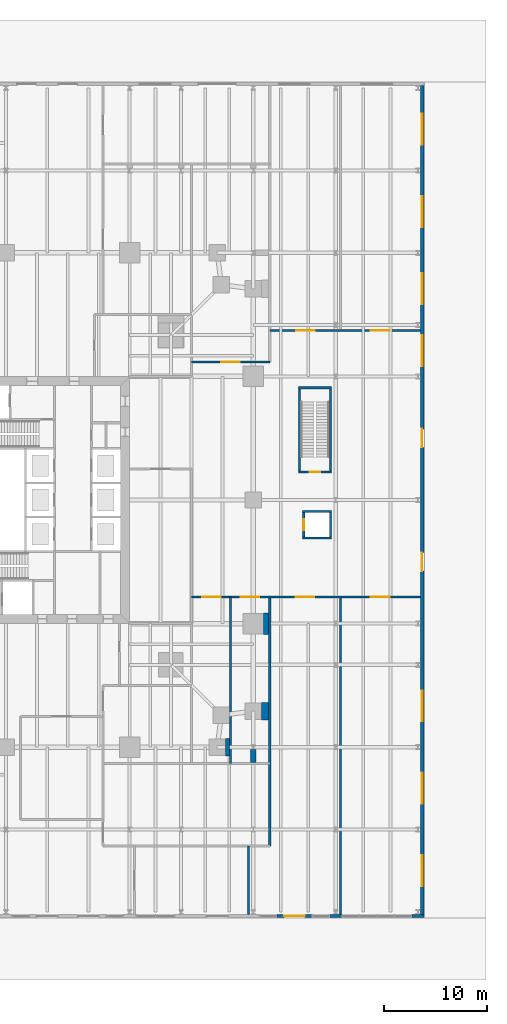
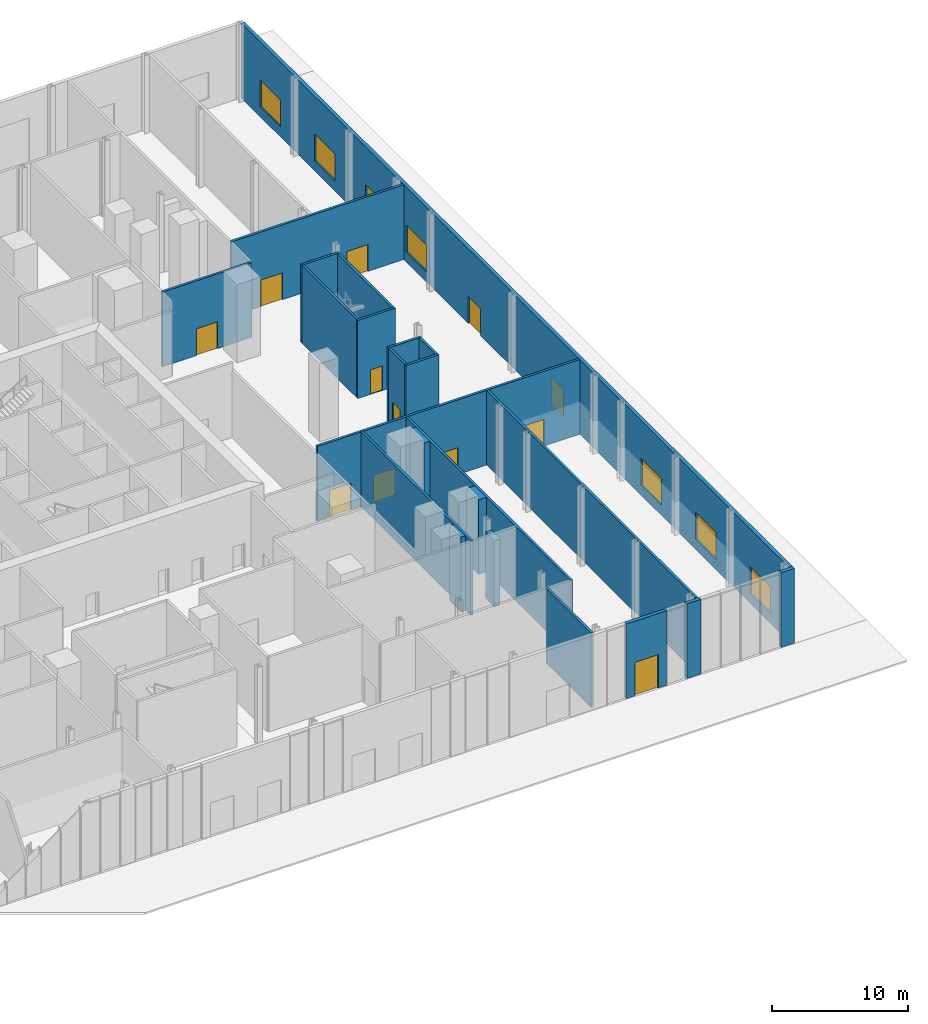
# One storey, part 16 of 20: 23 walls, 12 doors, 7 windows, 19 openings.
"""IFC4 building model written with IfcOpenShell, lengths in metres."""

from ifc_helpers import new_model, si_unit, direction, frame, frame_2d, origin, place, context, subcontext, project, spatial, rectangle, extrude, material, layer, layer_set, type_object, element, fill, save


model = new_model("IFC4")

# Units and contexts
model_context = context("Model", 3, precision=1e-05, world=origin(), true_north=direction((0.0, 1.0)))
body_context = subcontext(model_context, "Body", "Model", "MODEL_VIEW")
ifc_project = project(units=[si_unit("LENGTHUNIT", "METRE"), si_unit("AREAUNIT", "SQUARE_METRE"), si_unit("VOLUMEUNIT", "CUBIC_METRE"), si_unit("PLANEANGLEUNIT", "RADIAN"), si_unit("MASSUNIT", "GRAM", prefix="KILO")], contexts=[model_context])

# Site, building, storey
site_placement = place(None, origin())
site = spatial("IfcSite", under=ifc_project, at=site_placement, CompositionType="ELEMENT")
building_placement = place(site_placement, origin())
building = spatial("IfcBuilding", under=site, at=building_placement, Name="Fenwick Lantern Interchange", CompositionType="ELEMENT")
storey_placement = place(building_placement, origin())
storey = spatial("IfcBuildingStorey", under=building, at=storey_placement, Name="L00", CompositionType="ELEMENT", Elevation=0.0)

# Walls
ifc_material_1 = material(Name="Fire-rated gypsum board encasement on steel studs, 2 hour", Category="steel")
ifc_layer_1 = layer(ifc_material_1, 1.699951171875)
ifc_layer_set_1 = layer_set([ifc_layer_1], Name="COLUMN PIER 1700")
wall_type_1 = type_object("IfcWallType", Name="COLUMN PIER 1700", PredefinedType="PARTITIONING", material=ifc_layer_set_1)
wall_1_placement = place(storey_placement, frame((46.699951171875, 1.0, 0.0), z_axis=(0.0, 0.0, 1.0), x_axis=(-1.0, 0.0, 0.0)))
element("IfcWall", 1, at=wall_1_placement, inside=storey, type_object=wall_type_1, Name="L00/W/PIER/CS5", PredefinedType="PARTITIONING", context=body_context, shape_type="SweptSolid", body=[
    extrude(rectangle(XDim=0.39990234375, YDim=1.699951171875, at=frame_2d((0.199951171875, 0.0))), origin(), (0.0, 0.0, 1.0), 6.699951171875),
])
wall_2_placement = place(storey_placement, frame((50.5, 4.5, 0.0), z_axis=(0.0, 0.0, 1.0), x_axis=(-1.0, 0.0, 0.0)))
element("IfcWall", 2, at=wall_2_placement, inside=storey, type_object=wall_type_1, Name="L00/W/PIER/CE1", PredefinedType="PARTITIONING", context=body_context, shape_type="SweptSolid", body=[
    extrude(rectangle(XDim=0.699951171875, YDim=1.699951171875, at=frame_2d((0.35009765625, 0.0))), origin(), (0.0, 0.0, 1.0), 6.699951171875),
])
ifc_layer_2 = layer(ifc_material_1, 2.10009765625)
ifc_layer_set_2 = layer_set([ifc_layer_2], Name="COLUMN PIER 2100")
wall_type_2 = type_object("IfcWallType", Name="COLUMN PIER 2100", PredefinedType="PARTITIONING", material=ifc_layer_set_2)
wall_3_placement = place(storey_placement, frame((50.5, 13.0, 0.0), z_axis=(0.0, 0.0, 1.0), x_axis=(-1.0, 0.0, 0.0)))
element("IfcWall", 3, at=wall_3_placement, inside=storey, type_object=wall_type_2, Name="L00/W/PIER/CE2", PredefinedType="PARTITIONING", context=body_context, shape_type="SweptSolid", body=[
    extrude(rectangle(XDim=0.5, YDim=2.10009765625, at=frame_2d((0.25, 0.0))), origin(), (0.0, 0.0, 1.0), 6.699951171875),
])
ifc_layer_3 = layer(ifc_material_1, 0.51708984375)
ifc_layer_set_3 = layer_set([ifc_layer_3], Name="COLUMN PIER 517")
wall_type_3 = type_object("IfcWallType", Name="COLUMN PIER 517", PredefinedType="PARTITIONING", material=ifc_layer_set_3)
wall_4_placement = place(storey_placement, frame((49.0, -0.5, 0.0), z_axis=(0.0, 0.0, 1.0), x_axis=(0.0, 1.0, 0.0)))
element("IfcWall", 4, at=wall_4_placement, inside=storey, type_object=wall_type_3, Name="L00/W/PIER/PC9", PredefinedType="PARTITIONING", context=body_context, shape_type="SweptSolid", body=[
    extrude(rectangle(XDim=1.27783203125, YDim=0.51708984375, at=frame_2d((0.638916015625, 0.0))), origin(), (0.0, 0.0, 1.0), 5.9541015625),
])
ifc_material_2 = material(Name="Concrete masonry ASTM C90 Grade N", Category="masonry")
ifc_layer_4 = layer(ifc_material_2, 0.199951171875)
ifc_layer_set_4 = layer_set([ifc_layer_4], Name="Concrete masonry ASTM C90 Grade N")
wall_type_4 = type_object("IfcWallType", Name="LIFT SHAFT WALL 200", PredefinedType="PARTITIONING", material=ifc_layer_set_4)
wall_5_placement = place(storey_placement, frame((53.800048828125, 21.300048828125, 0.0), z_axis=(0.0, 0.0, 1.0), x_axis=(1.0, 0.0, 0.0)))
element("IfcWall", 5, at=wall_5_placement, inside=storey, type_object=wall_type_4, Name="L00/W/PL2/S", PredefinedType="PARTITIONING", context=body_context, shape_type="SweptSolid", body=[
    extrude(rectangle(XDim=2.800048828125, YDim=0.199951171875, at=frame_2d((1.39990234375, 0.0))), origin(), (0.0, 0.0, 1.0), 6.699951171875),
])
wall_6_placement = place(storey_placement, frame((56.5, 21.39990234375, 0.0), z_axis=(0.0, 0.0, 1.0), x_axis=(0.0, 1.0, 0.0)))
element("IfcWall", 6, at=wall_6_placement, inside=storey, type_object=wall_type_4, Name="L00/W/PL2/E", PredefinedType="PARTITIONING", context=body_context, shape_type="SweptSolid", body=[
    extrude(rectangle(XDim=2.400146484375, YDim=0.199951171875, at=frame_2d((1.2001953125, 0.0))), origin(), (0.0, 0.0, 1.0), 6.699951171875),
])
wall_7_placement = place(storey_placement, frame((56.60009765625, 23.89990234375, 0.0), z_axis=(0.0, 0.0, 1.0), x_axis=(-1.0, 0.0, 0.0)))
element("IfcWall", 7, at=wall_7_placement, inside=storey, type_object=wall_type_4, Name="L00/W/PL2/N", PredefinedType="PARTITIONING", context=body_context, shape_type="SweptSolid", body=[
    extrude(rectangle(XDim=2.800048828125, YDim=0.199951171875, at=frame_2d((1.39990234375, 0.0))), origin(), (0.0, 0.0, 1.0), 6.699951171875),
])

# Wall, opening, door
wall_8_placement = place(storey_placement, frame((53.89990234375, 23.800048828125, 0.0), z_axis=(0.0, 0.0, 1.0), x_axis=(0.0, -1.0, 0.0)))
wall_8 = element("IfcWall", 8, at=wall_8_placement, inside=storey, type_object=wall_type_4, Name="L00/W/PL2/W", PredefinedType="PARTITIONING", context=body_context, shape_type="SweptSolid", body=[
    extrude(rectangle(XDim=2.400146484375, YDim=0.199951171875, at=frame_2d((1.2001953125, 0.0))), origin(), (0.0, 0.0, 1.0), 6.699951171875),
])
opening_1_placement = place(wall_8_placement, frame((0.64990234375, 0.0, 0.0)))
opening_1 = element("IfcOpeningElement", 9, at=opening_1_placement, cuts=wall_8, Name="Opening LD-PL2", PredefinedType="OPENING", context=body_context, shape_type="SweptSolid", body=[
    extrude(rectangle(XDim=1.10009765625, YDim=2.199951171875, at=frame_2d((0.550048828125, 1.10009765625))), frame((0.0, 0.10986328125, 0.0), z_axis=(0.0, -1.0, 0.0), x_axis=(1.0, 0.0, 0.0)), (0.0, 0.0, 1.0), 0.219970703125),
])
ifc_material_3 = material(Name="Steel door and frame", Category="steel")
door_type_1 = type_object("IfcDoorType", Name="LIFT LANDING DOOR 1100 X 2200", OperationType="DOUBLE_DOOR_SLIDING", PredefinedType="DOOR", material=ifc_material_3)
door_1_placement = place(opening_1_placement, origin())
door_1 = element("IfcDoor", 10, at=door_1_placement, inside=storey, type_object=door_type_1, Name="Lift landing door PL2", OperationType="DOUBLE_DOOR_SLIDING", OverallHeight=2.199951171875, OverallWidth=1.10009765625, PredefinedType="DOOR", context=body_context, shape_type="SweptSolid", body=[
    extrude(rectangle(XDim=1.10009765625, YDim=2.199951171875, at=frame_2d((0.550048828125, 1.10009765625))), frame((0.0, 0.02490234375, 0.0), z_axis=(0.0, -1.0, 0.0), x_axis=(1.0, 0.0, 0.0)), (0.0, 0.0, 1.0), 0.050048828125),
])
fill(opening_1, door_1)

ifc_material_4 = material(Name="Limestone ASTM C568 Classification II", Category="masonry")
ifc_layer_5 = layer(ifc_material_4, 0.074951171875)
ifc_material_5 = material(Name="Mineral wool insulation")
ifc_layer_6 = layer(ifc_material_5, 0.125)
ifc_material_6 = material(Name="Cold-formed galvanised steel studs", Category="steel")
ifc_layer_7 = layer(ifc_material_6, 0.10009765625)
ifc_layer_set_5 = layer_set([ifc_layer_5, ifc_layer_6, ifc_layer_7], Name="Limestone ASTM C568 Classification II")
wall_type_5 = type_object("IfcWallType", Name="LIMESTONE RAINSCREEN WALL 300", PredefinedType="SOLIDWALL", material=ifc_layer_set_5)
wall_9_placement = place(storey_placement, frame((51.300048828125, -15.39990234375, 0.0), z_axis=(0.0, 0.0, 1.0), x_axis=(1.0, 0.0, 0.0)))
wall_9 = element("IfcWall", 11, at=wall_9_placement, inside=storey, type_object=wall_type_5, Name="L00/EW/S12", PredefinedType="SOLIDWALL", context=body_context, shape_type="SweptSolid", body=[
    extrude(rectangle(XDim=3.39990234375, YDim=0.300048828125, at=frame_2d((1.699951171875, 0.0))), origin(), (0.0, 0.0, 1.0), 6.699951171875),
])
opening_2_placement = place(wall_9_placement, frame((0.699951171875, 0.0, 0.0)))
opening_2 = element("IfcOpeningElement", 12, at=opening_2_placement, cuts=wall_9, Name="Opening L00-D007", PredefinedType="OPENING", context=body_context, shape_type="SweptSolid", body=[
    extrude(rectangle(XDim=2.0, YDim=3.0, at=frame_2d((1.0, 1.5))), frame((0.0, 0.159912109375, 0.0), z_axis=(0.0, -1.0, 0.0), x_axis=(1.0, 0.0, 0.0)), (0.0, 0.0, 1.0), 0.320068359375),
])
ifc_material_7 = material(Name="Aluminium glazed door", Category="aluminium")
door_type_2 = type_object("IfcDoorType", Name="CONCOURSE ENTRANCE DOOR PAIR 2000 X 3000", OperationType="DOUBLE_DOOR_SINGLE_SWING", PredefinedType="DOOR", material=ifc_material_7)
door_2_placement = place(opening_2_placement, frame((2.0, 0.0, 0.0), z_axis=(0.0, 0.0, 1.0), x_axis=(-1.0, 0.0, 0.0)))
door_2 = element("IfcDoor", 13, at=door_2_placement, inside=storey, type_object=door_type_2, Name="Concourse entrance door pair", OperationType="DOUBLE_DOOR_SINGLE_SWING", OverallHeight=3.0, OverallWidth=2.0, PredefinedType="DOOR", context=body_context, shape_type="SweptSolid", body=[
    extrude(rectangle(XDim=2.0, YDim=3.0, at=frame_2d((1.0, 1.5))), frame((0.0, 0.02490234375, 0.0), z_axis=(0.0, -1.0, 0.0), x_axis=(1.0, 0.0, 0.0)), (0.0, 0.0, 1.0), 0.050048828125),
])
fill(opening_2, door_2)

# Walls
wall_10_placement = place(storey_placement, frame((56.39990234375, -15.39990234375, 0.0), z_axis=(0.0, 0.0, 1.0), x_axis=(1.0, 0.0, 0.0)))
element("IfcWall", 14, at=wall_10_placement, inside=storey, type_object=wall_type_5, Name="L00/EW/S13", PredefinedType="SOLIDWALL", context=body_context, shape_type="SweptSolid", body=[
    extrude(rectangle(XDim=1.2001953125, YDim=0.300048828125, at=frame_2d((0.60009765625, 0.0))), origin(), (0.0, 0.0, 1.0), 6.699951171875),
])
wall_11_placement = place(storey_placement, frame((64.39990234375, -15.39990234375, 0.0), z_axis=(0.0, 0.0, 1.0), x_axis=(1.0, 0.0, 0.0)))
element("IfcWall", 15, at=wall_11_placement, inside=storey, type_object=wall_type_5, Name="L00/EW/S14", PredefinedType="SOLIDWALL", context=body_context, shape_type="SweptSolid", body=[
    extrude(rectangle(XDim=1.150146484375, YDim=0.300048828125, at=frame_2d((0.5751953125, 0.0))), origin(), (0.0, 0.0, 1.0), 6.699951171875),
])

# Wall, openings, doors, windows
wall_12_placement = place(storey_placement, frame((65.39990234375, -15.25, 0.0), z_axis=(0.0, 0.0, 1.0), x_axis=(0.0, 1.0, 0.0)))
wall_12 = element("IfcWall", 16, at=wall_12_placement, inside=storey, type_object=wall_type_5, Name="L00/EW/E", PredefinedType="SOLIDWALL", context=body_context, shape_type="SweptSolid", body=[
    extrude(rectangle(XDim=80.5, YDim=0.300048828125, at=frame_2d((40.25, 0.0))), origin(), (0.0, 0.0, 1.0), 6.699951171875),
])
opening_3_placement = place(wall_12_placement, frame((33.35009765625, 0.0, 0.0)))
opening_3 = element("IfcOpeningElement", 17, at=opening_3_placement, cuts=wall_12, Name="Opening L00-D008", PredefinedType="OPENING", context=body_context, shape_type="SweptSolid", body=[
    extrude(rectangle(XDim=1.800048828125, YDim=2.39990234375, at=frame_2d((0.89990234375, 1.199951171875))), frame((0.0, 0.159912109375, 0.0), z_axis=(0.0, -1.0, 0.0), x_axis=(1.0, 0.0, 0.0)), (0.0, 0.0, 1.0), 0.320068359375),
])
opening_4_placement = place(wall_12_placement, frame((45.35009765625, 0.0, 0.0)))
opening_4 = element("IfcOpeningElement", 18, at=opening_4_placement, cuts=wall_12, Name="Opening L00-D009", PredefinedType="OPENING", context=body_context, shape_type="SweptSolid", body=[
    extrude(rectangle(XDim=1.800048828125, YDim=2.39990234375, at=frame_2d((0.89990234375, 1.199951171875))), frame((0.0, 0.159912109375, 0.0), z_axis=(0.0, -1.0, 0.0), x_axis=(1.0, 0.0, 0.0)), (0.0, 0.0, 1.0), 0.320068359375),
])
opening_5_placement = place(wall_12_placement, frame((2.75, 0.0, 0.89990234375)))
opening_5 = element("IfcOpeningElement", 19, at=opening_5_placement, cuts=wall_12, Name="Opening W1", PredefinedType="OPENING", context=body_context, shape_type="SweptSolid", body=[
    extrude(rectangle(XDim=3.0, YDim=2.39990234375, at=frame_2d((1.5, 1.199951171875))), frame((0.0, 0.159912109375, 0.0), z_axis=(0.0, -1.0, 0.0), x_axis=(1.0, 0.0, 0.0)), (0.0, 0.0, 1.0), 0.320068359375),
])
opening_6_placement = place(wall_12_placement, frame((10.75, 0.0, 0.89990234375)))
opening_6 = element("IfcOpeningElement", 20, at=opening_6_placement, cuts=wall_12, Name="Opening W1", PredefinedType="OPENING", context=body_context, shape_type="SweptSolid", body=[
    extrude(rectangle(XDim=3.0, YDim=2.39990234375, at=frame_2d((1.5, 1.199951171875))), frame((0.0, 0.159912109375, 0.0), z_axis=(0.0, -1.0, 0.0), x_axis=(1.0, 0.0, 0.0)), (0.0, 0.0, 1.0), 0.320068359375),
])
opening_7_placement = place(wall_12_placement, frame((18.75, 0.0, 0.89990234375)))
opening_7 = element("IfcOpeningElement", 21, at=opening_7_placement, cuts=wall_12, Name="Opening W1", PredefinedType="OPENING", context=body_context, shape_type="SweptSolid", body=[
    extrude(rectangle(XDim=3.0, YDim=2.39990234375, at=frame_2d((1.5, 1.199951171875))), frame((0.0, 0.159912109375, 0.0), z_axis=(0.0, -1.0, 0.0), x_axis=(1.0, 0.0, 0.0)), (0.0, 0.0, 1.0), 0.320068359375),
])
opening_8_placement = place(wall_12_placement, frame((53.25, 0.0, 0.89990234375)))
opening_8 = element("IfcOpeningElement", 22, at=opening_8_placement, cuts=wall_12, Name="Opening W1", PredefinedType="OPENING", context=body_context, shape_type="SweptSolid", body=[
    extrude(rectangle(XDim=3.0, YDim=2.39990234375, at=frame_2d((1.5, 1.199951171875))), frame((0.0, 0.159912109375, 0.0), z_axis=(0.0, -1.0, 0.0), x_axis=(1.0, 0.0, 0.0)), (0.0, 0.0, 1.0), 0.320068359375),
])
opening_9_placement = place(wall_12_placement, frame((59.25, 0.0, 0.89990234375)))
opening_9 = element("IfcOpeningElement", 23, at=opening_9_placement, cuts=wall_12, Name="Opening W1", PredefinedType="OPENING", context=body_context, shape_type="SweptSolid", body=[
    extrude(rectangle(XDim=3.0, YDim=2.39990234375, at=frame_2d((1.5, 1.199951171875))), frame((0.0, 0.159912109375, 0.0), z_axis=(0.0, -1.0, 0.0), x_axis=(1.0, 0.0, 0.0)), (0.0, 0.0, 1.0), 0.320068359375),
])
opening_10_placement = place(wall_12_placement, frame((66.75, 0.0, 0.89990234375)))
opening_10 = element("IfcOpeningElement", 24, at=opening_10_placement, cuts=wall_12, Name="Opening W1", PredefinedType="OPENING", context=body_context, shape_type="SweptSolid", body=[
    extrude(rectangle(XDim=3.0, YDim=2.39990234375, at=frame_2d((1.5, 1.199951171875))), frame((0.0, 0.159912109375, 0.0), z_axis=(0.0, -1.0, 0.0), x_axis=(1.0, 0.0, 0.0)), (0.0, 0.0, 1.0), 0.320068359375),
])
opening_11_placement = place(wall_12_placement, frame((74.75, 0.0, 0.89990234375)))
opening_11 = element("IfcOpeningElement", 25, at=opening_11_placement, cuts=wall_12, Name="Opening W1", PredefinedType="OPENING", context=body_context, shape_type="SweptSolid", body=[
    extrude(rectangle(XDim=3.0, YDim=2.39990234375, at=frame_2d((1.5, 1.199951171875))), frame((0.0, 0.159912109375, 0.0), z_axis=(0.0, -1.0, 0.0), x_axis=(1.0, 0.0, 0.0)), (0.0, 0.0, 1.0), 0.320068359375),
])
door_type_3 = type_object("IfcDoorType", Name="ENTRANCE DOOR PAIR 1800 X 2400", OperationType="DOUBLE_DOOR_SINGLE_SWING", PredefinedType="DOOR", material=ifc_material_7)
door_3_placement = place(opening_3_placement, frame((1.800048828125, 0.0, 0.0), z_axis=(0.0, 0.0, 1.0), x_axis=(-1.0, 0.0, 0.0)))
door_3 = element("IfcDoor", 26, at=door_3_placement, inside=storey, type_object=door_type_3, Name="Entrance door pair", OperationType="DOUBLE_DOOR_SINGLE_SWING", OverallHeight=2.39990234375, OverallWidth=1.800048828125, PredefinedType="DOOR", context=body_context, shape_type="SweptSolid", body=[
    extrude(rectangle(XDim=1.800048828125, YDim=2.39990234375, at=frame_2d((0.89990234375, 1.199951171875))), frame((0.0, 0.02490234375, 0.0), z_axis=(0.0, -1.0, 0.0), x_axis=(1.0, 0.0, 0.0)), (0.0, 0.0, 1.0), 0.050048828125),
])
fill(opening_3, door_3)
door_4_placement = place(opening_4_placement, frame((1.800048828125, 0.0, 0.0), z_axis=(0.0, 0.0, 1.0), x_axis=(-1.0, 0.0, 0.0)))
door_4 = element("IfcDoor", 27, at=door_4_placement, inside=storey, type_object=door_type_3, Name="Entrance door pair", OperationType="DOUBLE_DOOR_SINGLE_SWING", OverallHeight=2.39990234375, OverallWidth=1.800048828125, PredefinedType="DOOR", context=body_context, shape_type="SweptSolid", body=[
    extrude(rectangle(XDim=1.800048828125, YDim=2.39990234375, at=frame_2d((0.89990234375, 1.199951171875))), frame((0.0, 0.02490234375, 0.0), z_axis=(0.0, -1.0, 0.0), x_axis=(1.0, 0.0, 0.0)), (0.0, 0.0, 1.0), 0.050048828125),
])
fill(opening_4, door_4)
ifc_material_8 = material(Name="Aluminium window, clear glass", Category="aluminium")
window_type = type_object("IfcWindowType", Name="PODIUM WINDOW 3000 X 2400", PartitioningType="SINGLE_PANEL", PredefinedType="WINDOW", material=ifc_material_8)
window_1_placement = place(opening_5_placement, origin())
window_1 = element("IfcWindow", 28, at=window_1_placement, inside=storey, type_object=window_type, Name="Podium window", OverallHeight=2.39990234375, OverallWidth=3.0, PartitioningType="SINGLE_PANEL", PredefinedType="WINDOW", context=body_context, shape_type="SweptSolid", body=[
    extrude(rectangle(XDim=3.0, YDim=2.39990234375, at=frame_2d((1.5, 1.199951171875))), frame((0.0, 0.030029296875, 0.0), z_axis=(0.0, -1.0, 0.0), x_axis=(1.0, 0.0, 0.0)), (0.0, 0.0, 1.0), 0.06005859375),
])
fill(opening_5, window_1)
window_2_placement = place(opening_6_placement, origin())
window_2 = element("IfcWindow", 29, at=window_2_placement, inside=storey, type_object=window_type, Name="Podium window", OverallHeight=2.39990234375, OverallWidth=3.0, PartitioningType="SINGLE_PANEL", PredefinedType="WINDOW", context=body_context, shape_type="SweptSolid", body=[
    extrude(rectangle(XDim=3.0, YDim=2.39990234375, at=frame_2d((1.5, 1.199951171875))), frame((0.0, 0.030029296875, 0.0), z_axis=(0.0, -1.0, 0.0), x_axis=(1.0, 0.0, 0.0)), (0.0, 0.0, 1.0), 0.06005859375),
])
fill(opening_6, window_2)
window_3_placement = place(opening_7_placement, origin())
window_3 = element("IfcWindow", 30, at=window_3_placement, inside=storey, type_object=window_type, Name="Podium window", OverallHeight=2.39990234375, OverallWidth=3.0, PartitioningType="SINGLE_PANEL", PredefinedType="WINDOW", context=body_context, shape_type="SweptSolid", body=[
    extrude(rectangle(XDim=3.0, YDim=2.39990234375, at=frame_2d((1.5, 1.199951171875))), frame((0.0, 0.030029296875, 0.0), z_axis=(0.0, -1.0, 0.0), x_axis=(1.0, 0.0, 0.0)), (0.0, 0.0, 1.0), 0.06005859375),
])
fill(opening_7, window_3)
window_4_placement = place(opening_8_placement, origin())
window_4 = element("IfcWindow", 31, at=window_4_placement, inside=storey, type_object=window_type, Name="Podium window", OverallHeight=2.39990234375, OverallWidth=3.0, PartitioningType="SINGLE_PANEL", PredefinedType="WINDOW", context=body_context, shape_type="SweptSolid", body=[
    extrude(rectangle(XDim=3.0, YDim=2.39990234375, at=frame_2d((1.5, 1.199951171875))), frame((0.0, 0.030029296875, 0.0), z_axis=(0.0, -1.0, 0.0), x_axis=(1.0, 0.0, 0.0)), (0.0, 0.0, 1.0), 0.06005859375),
])
fill(opening_8, window_4)
window_5_placement = place(opening_9_placement, origin())
window_5 = element("IfcWindow", 32, at=window_5_placement, inside=storey, type_object=window_type, Name="Podium window", OverallHeight=2.39990234375, OverallWidth=3.0, PartitioningType="SINGLE_PANEL", PredefinedType="WINDOW", context=body_context, shape_type="SweptSolid", body=[
    extrude(rectangle(XDim=3.0, YDim=2.39990234375, at=frame_2d((1.5, 1.199951171875))), frame((0.0, 0.030029296875, 0.0), z_axis=(0.0, -1.0, 0.0), x_axis=(1.0, 0.0, 0.0)), (0.0, 0.0, 1.0), 0.06005859375),
])
fill(opening_9, window_5)
window_6_placement = place(opening_10_placement, origin())
window_6 = element("IfcWindow", 33, at=window_6_placement, inside=storey, type_object=window_type, Name="Podium window", OverallHeight=2.39990234375, OverallWidth=3.0, PartitioningType="SINGLE_PANEL", PredefinedType="WINDOW", context=body_context, shape_type="SweptSolid", body=[
    extrude(rectangle(XDim=3.0, YDim=2.39990234375, at=frame_2d((1.5, 1.199951171875))), frame((0.0, 0.030029296875, 0.0), z_axis=(0.0, -1.0, 0.0), x_axis=(1.0, 0.0, 0.0)), (0.0, 0.0, 1.0), 0.06005859375),
])
fill(opening_10, window_6)
window_7_placement = place(opening_11_placement, origin())
window_7 = element("IfcWindow", 34, at=window_7_placement, inside=storey, type_object=window_type, Name="Podium window", OverallHeight=2.39990234375, OverallWidth=3.0, PartitioningType="SINGLE_PANEL", PredefinedType="WINDOW", context=body_context, shape_type="SweptSolid", body=[
    extrude(rectangle(XDim=3.0, YDim=2.39990234375, at=frame_2d((1.5, 1.199951171875))), frame((0.0, 0.030029296875, 0.0), z_axis=(0.0, -1.0, 0.0), x_axis=(1.0, 0.0, 0.0)), (0.0, 0.0, 1.0), 0.06005859375),
])
fill(opening_11, window_7)

# Walls
ifc_material_9 = material(Name="Gypsum board on steel studs, 1 hour", Category="steel")
ifc_layer_8 = layer(ifc_material_9, 0.199951171875)
ifc_layer_set_6 = layer_set([ifc_layer_8], Name="ROOM WALL 200")
wall_type_6 = type_object("IfcWallType", Name="ROOM WALL 200", PredefinedType="PARTITIONING", material=ifc_layer_set_6)
wall_13_placement = place(storey_placement, frame((46.800048828125, -0.60009765625, 0.0), z_axis=(0.0, 0.0, 1.0), x_axis=(0.0, 1.0, 0.0)))
element("IfcWall", 35, at=wall_13_placement, inside=storey, type_object=wall_type_6, Name="L00/W/POD/X46.8-1", PredefinedType="PARTITIONING", context=body_context, shape_type="SweptSolid", body=[
    extrude(rectangle(XDim=16.2001953125, YDim=0.199951171875, at=frame_2d((8.10009765625, 0.0))), origin(), (0.0, 0.0, 1.0), 6.699951171875),
])
wall_14_placement = place(storey_placement, frame((48.550048828125, -15.25, 0.0), z_axis=(0.0, 0.0, 1.0), x_axis=(0.0, 1.0, 0.0)))
element("IfcWall", 36, at=wall_14_placement, inside=storey, type_object=wall_type_6, Name="L00/W/POD/X48.55-1", PredefinedType="PARTITIONING", context=body_context, shape_type="SweptSolid", body=[
    extrude(rectangle(XDim=6.64990234375, YDim=0.199951171875, at=frame_2d((3.324951171875, 0.0))), origin(), (0.0, 0.0, 1.0), 6.699951171875),
])
wall_15_placement = place(storey_placement, frame((50.60009765625, -8.60009765625, 0.0), z_axis=(0.0, 0.0, 1.0), x_axis=(0.0, 1.0, 0.0)))
element("IfcWall", 37, at=wall_15_placement, inside=storey, type_object=wall_type_6, Name="L00/W/POD/X50.6-1", PredefinedType="PARTITIONING", context=body_context, shape_type="SweptSolid", body=[
    extrude(rectangle(XDim=24.2001953125, YDim=0.199951171875, at=frame_2d((12.10009765625, 0.0))), origin(), (0.0, 0.0, 1.0), 6.699951171875),
])
wall_16_placement = place(storey_placement, frame((57.449951171875, -15.25, 0.0), z_axis=(0.0, 0.0, 1.0), x_axis=(0.0, 1.0, 0.0)))
element("IfcWall", 38, at=wall_16_placement, inside=storey, type_object=wall_type_6, Name="L00/W/POD/X57.45-1", PredefinedType="PARTITIONING", context=body_context, shape_type="SweptSolid", body=[
    extrude(rectangle(XDim=30.85009765625, YDim=0.199951171875, at=frame_2d((15.425048828125, 0.0))), origin(), (0.0, 0.0, 1.0), 6.699951171875),
])

# Wall, openings, doors
wall_17_placement = place(storey_placement, frame((43.0, 15.60009765625, 0.0), z_axis=(0.0, 0.0, 1.0), x_axis=(1.0, 0.0, 0.0)))
wall_17 = element("IfcWall", 39, at=wall_17_placement, inside=storey, type_object=wall_type_6, Name="L00/W/POD/Y15.6-1", PredefinedType="PARTITIONING", context=body_context, shape_type="SweptSolid", body=[
    extrude(rectangle(XDim=22.25, YDim=0.199951171875, at=frame_2d((11.125, 0.0))), origin(), (0.0, 0.0, 1.0), 6.699951171875),
])
opening_12_placement = place(wall_17_placement, frame((10.125, 0.0, 0.0)))
opening_12 = element("IfcOpeningElement", 40, at=opening_12_placement, cuts=wall_17, Name="Opening L00-D049", PredefinedType="OPENING", context=body_context, shape_type="SweptSolid", body=[
    extrude(rectangle(XDim=1.800048828125, YDim=2.39990234375, at=frame_2d((0.89990234375, 1.199951171875))), frame((0.0, 0.10986328125, 0.0), z_axis=(0.0, -1.0, 0.0), x_axis=(1.0, 0.0, 0.0)), (0.0, 0.0, 1.0), 0.219970703125),
])
opening_13_placement = place(wall_17_placement, frame((17.425048828125, 0.0, 0.0)))
opening_13 = element("IfcOpeningElement", 41, at=opening_13_placement, cuts=wall_17, Name="Opening L00-D050", PredefinedType="OPENING", context=body_context, shape_type="SweptSolid", body=[
    extrude(rectangle(XDim=1.800048828125, YDim=2.39990234375, at=frame_2d((0.89990234375, 1.199951171875))), frame((0.0, 0.10986328125, 0.0), z_axis=(0.0, -1.0, 0.0), x_axis=(1.0, 0.0, 0.0)), (0.0, 0.0, 1.0), 0.219970703125),
])
opening_14_placement = place(wall_17_placement, frame((1.02490234375, 0.0, 0.0)))
opening_14 = element("IfcOpeningElement", 42, at=opening_14_placement, cuts=wall_17, Name="Opening L00-D051", PredefinedType="OPENING", context=body_context, shape_type="SweptSolid", body=[
    extrude(rectangle(XDim=1.800048828125, YDim=2.39990234375, at=frame_2d((0.89990234375, 1.199951171875))), frame((0.0, 0.10986328125, 0.0), z_axis=(0.0, -1.0, 0.0), x_axis=(1.0, 0.0, 0.0)), (0.0, 0.0, 1.0), 0.219970703125),
])
opening_15_placement = place(wall_17_placement, frame((4.800048828125, 0.0, 0.0)))
opening_15 = element("IfcOpeningElement", 43, at=opening_15_placement, cuts=wall_17, Name="Opening L00-D052", PredefinedType="OPENING", context=body_context, shape_type="SweptSolid", body=[
    extrude(rectangle(XDim=1.800048828125, YDim=2.39990234375, at=frame_2d((0.89990234375, 1.199951171875))), frame((0.0, 0.10986328125, 0.0), z_axis=(0.0, -1.0, 0.0), x_axis=(1.0, 0.0, 0.0)), (0.0, 0.0, 1.0), 0.219970703125),
])
door_type_4 = type_object("IfcDoorType", Name="ROOM DOOR PAIR 1800 X 2400", OperationType="DOUBLE_DOOR_SINGLE_SWING", PredefinedType="DOOR", material=ifc_material_3)
door_5_placement = place(opening_12_placement, origin())
door_5 = element("IfcDoor", 44, at=door_5_placement, inside=storey, type_object=door_type_4, Name="Room door pair", OperationType="DOUBLE_DOOR_SINGLE_SWING", OverallHeight=2.39990234375, OverallWidth=1.800048828125, PredefinedType="DOOR", context=body_context, shape_type="SweptSolid", body=[
    extrude(rectangle(XDim=1.800048828125, YDim=2.39990234375, at=frame_2d((0.89990234375, 1.199951171875))), frame((0.0, 0.02490234375, 0.0), z_axis=(0.0, -1.0, 0.0), x_axis=(1.0, 0.0, 0.0)), (0.0, 0.0, 1.0), 0.050048828125),
])
fill(opening_12, door_5)
door_6_placement = place(opening_13_placement, origin())
door_6 = element("IfcDoor", 45, at=door_6_placement, inside=storey, type_object=door_type_4, Name="Room door pair", OperationType="DOUBLE_DOOR_SINGLE_SWING", OverallHeight=2.39990234375, OverallWidth=1.800048828125, PredefinedType="DOOR", context=body_context, shape_type="SweptSolid", body=[
    extrude(rectangle(XDim=1.800048828125, YDim=2.39990234375, at=frame_2d((0.89990234375, 1.199951171875))), frame((0.0, 0.02490234375, 0.0), z_axis=(0.0, -1.0, 0.0), x_axis=(1.0, 0.0, 0.0)), (0.0, 0.0, 1.0), 0.050048828125),
])
fill(opening_13, door_6)
door_7_placement = place(opening_14_placement, origin())
door_7 = element("IfcDoor", 46, at=door_7_placement, inside=storey, type_object=door_type_4, Name="Room door pair", OperationType="DOUBLE_DOOR_SINGLE_SWING", OverallHeight=2.39990234375, OverallWidth=1.800048828125, PredefinedType="DOOR", context=body_context, shape_type="SweptSolid", body=[
    extrude(rectangle(XDim=1.800048828125, YDim=2.39990234375, at=frame_2d((0.89990234375, 1.199951171875))), frame((0.0, 0.02490234375, 0.0), z_axis=(0.0, -1.0, 0.0), x_axis=(1.0, 0.0, 0.0)), (0.0, 0.0, 1.0), 0.050048828125),
])
fill(opening_14, door_7)
door_8_placement = place(opening_15_placement, origin())
door_8 = element("IfcDoor", 47, at=door_8_placement, inside=storey, type_object=door_type_4, Name="Room door pair", OperationType="DOUBLE_DOOR_SINGLE_SWING", OverallHeight=2.39990234375, OverallWidth=1.800048828125, PredefinedType="DOOR", context=body_context, shape_type="SweptSolid", body=[
    extrude(rectangle(XDim=1.800048828125, YDim=2.39990234375, at=frame_2d((0.89990234375, 1.199951171875))), frame((0.0, 0.02490234375, 0.0), z_axis=(0.0, -1.0, 0.0), x_axis=(1.0, 0.0, 0.0)), (0.0, 0.0, 1.0), 0.050048828125),
])
fill(opening_15, door_8)

# Wall, opening, door
wall_18_placement = place(storey_placement, frame((43.0, 38.39990234375, 0.0), z_axis=(0.0, 0.0, 1.0), x_axis=(1.0, 0.0, 0.0)))
wall_18 = element("IfcWall", 48, at=wall_18_placement, inside=storey, type_object=wall_type_6, Name="L00/W/POD/Y38.4-1", PredefinedType="PARTITIONING", context=body_context, shape_type="SweptSolid", body=[
    extrude(rectangle(XDim=7.60009765625, YDim=0.199951171875, at=frame_2d((3.800048828125, 0.0))), origin(), (0.0, 0.0, 1.0), 6.699951171875),
])
opening_16_placement = place(wall_18_placement, frame((2.89990234375, 0.0, 0.0)))
opening_16 = element("IfcOpeningElement", 49, at=opening_16_placement, cuts=wall_18, Name="Opening L00-D053", PredefinedType="OPENING", context=body_context, shape_type="SweptSolid", body=[
    extrude(rectangle(XDim=1.800048828125, YDim=2.39990234375, at=frame_2d((0.89990234375, 1.199951171875))), frame((0.0, 0.10986328125, 0.0), z_axis=(0.0, -1.0, 0.0), x_axis=(1.0, 0.0, 0.0)), (0.0, 0.0, 1.0), 0.219970703125),
])
door_9_placement = place(opening_16_placement, frame((1.800048828125, 0.0, 0.0), z_axis=(0.0, 0.0, 1.0), x_axis=(-1.0, 0.0, 0.0)))
door_9 = element("IfcDoor", 50, at=door_9_placement, inside=storey, type_object=door_type_4, Name="Room door pair", OperationType="DOUBLE_DOOR_SINGLE_SWING", OverallHeight=2.39990234375, OverallWidth=1.800048828125, PredefinedType="DOOR", context=body_context, shape_type="SweptSolid", body=[
    extrude(rectangle(XDim=1.800048828125, YDim=2.39990234375, at=frame_2d((0.89990234375, 1.199951171875))), frame((0.0, 0.02490234375, 0.0), z_axis=(0.0, -1.0, 0.0), x_axis=(1.0, 0.0, 0.0)), (0.0, 0.0, 1.0), 0.050048828125),
])
fill(opening_16, door_9)

# Wall, openings, doors
wall_19_placement = place(storey_placement, frame((50.60009765625, 41.449951171875, 0.0), z_axis=(0.0, 0.0, 1.0), x_axis=(1.0, 0.0, 0.0)))
wall_19 = element("IfcWall", 51, at=wall_19_placement, inside=storey, type_object=wall_type_6, Name="L00/W/POD/Y41.45-1", PredefinedType="PARTITIONING", context=body_context, shape_type="SweptSolid", body=[
    extrude(rectangle(XDim=14.64990234375, YDim=0.199951171875, at=frame_2d((7.324951171875, 0.0))), origin(), (0.0, 0.0, 1.0), 6.699951171875),
])
opening_17_placement = place(wall_19_placement, frame((2.550048828125, 0.0, 0.0)))
opening_17 = element("IfcOpeningElement", 52, at=opening_17_placement, cuts=wall_19, Name="Opening L00-D054", PredefinedType="OPENING", context=body_context, shape_type="SweptSolid", body=[
    extrude(rectangle(XDim=1.800048828125, YDim=2.39990234375, at=frame_2d((0.89990234375, 1.199951171875))), frame((0.0, 0.10986328125, 0.0), z_axis=(0.0, -1.0, 0.0), x_axis=(1.0, 0.0, 0.0)), (0.0, 0.0, 1.0), 0.219970703125),
])
opening_18_placement = place(wall_19_placement, frame((9.824951171875, 0.0, 0.0)))
opening_18 = element("IfcOpeningElement", 53, at=opening_18_placement, cuts=wall_19, Name="Opening L00-D055", PredefinedType="OPENING", context=body_context, shape_type="SweptSolid", body=[
    extrude(rectangle(XDim=1.800048828125, YDim=2.39990234375, at=frame_2d((0.89990234375, 1.199951171875))), frame((0.0, 0.10986328125, 0.0), z_axis=(0.0, -1.0, 0.0), x_axis=(1.0, 0.0, 0.0)), (0.0, 0.0, 1.0), 0.219970703125),
])
door_10_placement = place(opening_17_placement, frame((1.800048828125, 0.0, 0.0), z_axis=(0.0, 0.0, 1.0), x_axis=(-1.0, 0.0, 0.0)))
door_10 = element("IfcDoor", 54, at=door_10_placement, inside=storey, type_object=door_type_4, Name="Room door pair", OperationType="DOUBLE_DOOR_SINGLE_SWING", OverallHeight=2.39990234375, OverallWidth=1.800048828125, PredefinedType="DOOR", context=body_context, shape_type="SweptSolid", body=[
    extrude(rectangle(XDim=1.800048828125, YDim=2.39990234375, at=frame_2d((0.89990234375, 1.199951171875))), frame((0.0, 0.02490234375, 0.0), z_axis=(0.0, -1.0, 0.0), x_axis=(1.0, 0.0, 0.0)), (0.0, 0.0, 1.0), 0.050048828125),
])
fill(opening_17, door_10)
door_11_placement = place(opening_18_placement, frame((1.800048828125, 0.0, 0.0), z_axis=(0.0, 0.0, 1.0), x_axis=(-1.0, 0.0, 0.0)))
door_11 = element("IfcDoor", 55, at=door_11_placement, inside=storey, type_object=door_type_4, Name="Room door pair", OperationType="DOUBLE_DOOR_SINGLE_SWING", OverallHeight=2.39990234375, OverallWidth=1.800048828125, PredefinedType="DOOR", context=body_context, shape_type="SweptSolid", body=[
    extrude(rectangle(XDim=1.800048828125, YDim=2.39990234375, at=frame_2d((0.89990234375, 1.199951171875))), frame((0.0, 0.02490234375, 0.0), z_axis=(0.0, -1.0, 0.0), x_axis=(1.0, 0.0, 0.0)), (0.0, 0.0, 1.0), 0.050048828125),
])
fill(opening_18, door_11)

# Wall, opening, door
ifc_material_10 = material(Name="Reinforced concrete masonry ASTM C90 Grade N", Category="masonry")
ifc_layer_9 = layer(ifc_material_10, 0.199951171875)
ifc_layer_set_7 = layer_set([ifc_layer_9], Name="Reinforced concrete masonry ASTM C90 Grade N")
wall_type_7 = type_object("IfcWallType", Name="STAIR ENCLOSURE 200", PredefinedType="SOLIDWALL", material=ifc_layer_set_7)
wall_20_placement = place(storey_placement, frame((53.39990234375, 27.699951171875, 0.0), z_axis=(0.0, 0.0, 1.0), x_axis=(1.0, 0.0, 0.0)))
wall_20 = element("IfcWall", 56, at=wall_20_placement, inside=storey, type_object=wall_type_7, Name="L00/W/PS4/S", PredefinedType="SOLIDWALL", context=body_context, shape_type="SweptSolid", body=[
    extrude(rectangle(XDim=3.2001953125, YDim=0.199951171875, at=frame_2d((1.60009765625, 0.0))), origin(), (0.0, 0.0, 1.0), 7.0),
])
opening_19_placement = place(wall_20_placement, frame((1.10009765625, 0.0, 0.0)))
opening_19 = element("IfcOpeningElement", 57, at=opening_19_placement, cuts=wall_20, Name="Opening L00-D038", PredefinedType="OPENING", context=body_context, shape_type="SweptSolid", body=[
    extrude(rectangle(XDim=1.0, YDim=2.199951171875, at=frame_2d((0.5, 1.10009765625))), frame((0.0, 0.10986328125, 0.0), z_axis=(0.0, -1.0, 0.0), x_axis=(1.0, 0.0, 0.0)), (0.0, 0.0, 1.0), 0.219970703125),
])
door_type_5 = type_object("IfcDoorType", Name="STAIR DOOR 1000 X 2200", OperationType="SINGLE_SWING_LEFT", PredefinedType="DOOR", material=ifc_material_3)
door_12_placement = place(opening_19_placement, frame((1.0, 0.0, 0.0), z_axis=(0.0, 0.0, 1.0), x_axis=(-1.0, 0.0, 0.0)))
door_12 = element("IfcDoor", 58, at=door_12_placement, inside=storey, type_object=door_type_5, Name="Stair door", OperationType="SINGLE_SWING_LEFT", OverallHeight=2.199951171875, OverallWidth=1.0, PredefinedType="DOOR", context=body_context, shape_type="SweptSolid", body=[
    extrude(rectangle(XDim=1.0, YDim=2.199951171875, at=frame_2d((0.5, 1.10009765625))), frame((0.0, 0.02490234375, 0.0), z_axis=(0.0, -1.0, 0.0), x_axis=(1.0, 0.0, 0.0)), (0.0, 0.0, 1.0), 0.050048828125),
])
fill(opening_19, door_12)

# Walls
wall_21_placement = place(storey_placement, frame((56.5, 27.800048828125, 0.0), z_axis=(0.0, 0.0, 1.0), x_axis=(0.0, 1.0, 0.0)))
element("IfcWall", 59, at=wall_21_placement, inside=storey, type_object=wall_type_7, Name="L00/W/PS4/E", PredefinedType="SOLIDWALL", context=body_context, shape_type="SweptSolid", body=[
    extrude(rectangle(XDim=8.0, YDim=0.199951171875, at=frame_2d((4.0, 0.0))), origin(), (0.0, 0.0, 1.0), 7.0),
])
wall_22_placement = place(storey_placement, frame((56.60009765625, 35.89990234375, 0.0), z_axis=(0.0, 0.0, 1.0), x_axis=(-1.0, 0.0, 0.0)))
element("IfcWall", 60, at=wall_22_placement, inside=storey, type_object=wall_type_7, Name="L00/W/PS4/N", PredefinedType="SOLIDWALL", context=body_context, shape_type="SweptSolid", body=[
    extrude(rectangle(XDim=3.2001953125, YDim=0.199951171875, at=frame_2d((1.60009765625, 0.0))), origin(), (0.0, 0.0, 1.0), 7.0),
])
wall_23_placement = place(storey_placement, frame((53.5, 35.800048828125, 0.0), z_axis=(0.0, 0.0, 1.0), x_axis=(0.0, -1.0, 0.0)))
element("IfcWall", 61, at=wall_23_placement, inside=storey, type_object=wall_type_7, Name="L00/W/PS4/W", PredefinedType="SOLIDWALL", context=body_context, shape_type="SweptSolid", body=[
    extrude(rectangle(XDim=8.0, YDim=0.199951171875, at=frame_2d((4.0, 0.0))), origin(), (0.0, 0.0, 1.0), 7.0),
])

save(model, "model.ifc")
